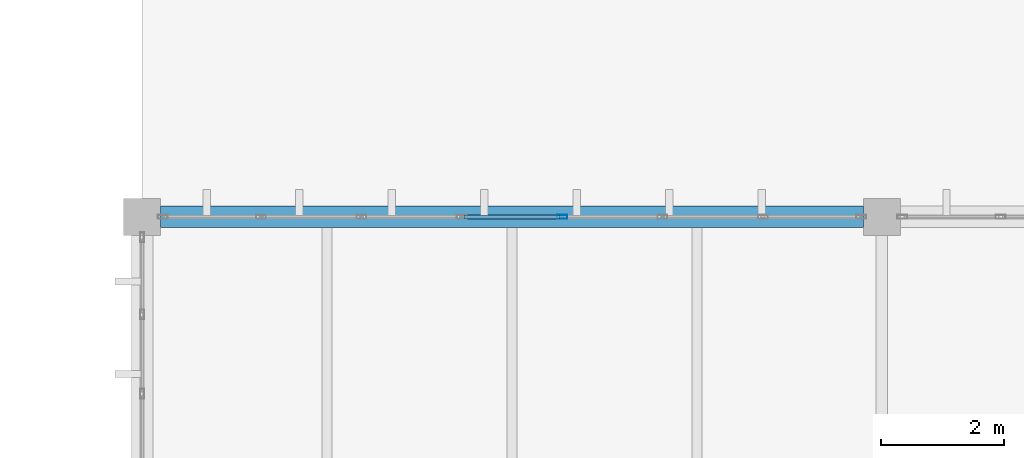
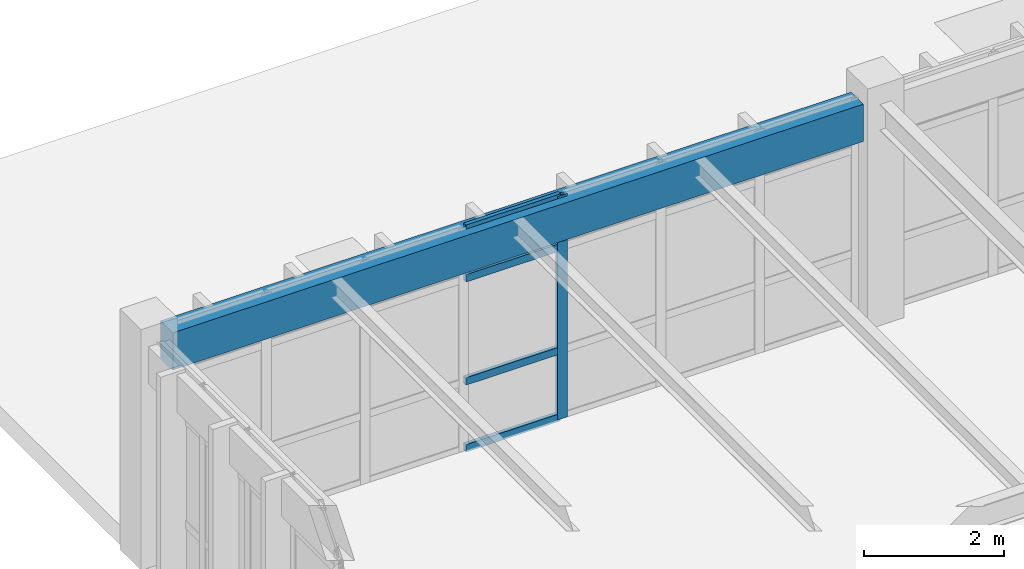
# One storey, part 48 of 83: 5 members, 1 beam, 1 element without a shape of its own.
"""IFC4 building model written with IfcOpenShell, lengths in metres."""

from ifc_helpers import new_model, si_unit, direction, frame, origin, origin_2d, place, context, subcontext, project, spatial, rectangle, hollow_rectangle, extrude, material, layer, layer_set, material_profile, profile_set, type_object, element, aggregate, save


model = new_model("IFC4")

# Units and contexts
model_context = context("Model", 3, precision=1e-05, world=origin(), true_north=direction((0.0, 1.0)))
body_context = subcontext(model_context, "Body", "Model", "MODEL_VIEW")
ifc_project = project(units=[si_unit("LENGTHUNIT", "METRE"), si_unit("AREAUNIT", "SQUARE_METRE"), si_unit("VOLUMEUNIT", "CUBIC_METRE"), si_unit("PLANEANGLEUNIT", "RADIAN"), si_unit("MASSUNIT", "GRAM", prefix="KILO")], contexts=[model_context])

# Site, building, storey
site_placement = place(None, origin())
site = spatial("IfcSite", under=ifc_project, at=site_placement, CompositionType="ELEMENT")
building_placement = place(site_placement, origin())
building = spatial("IfcBuilding", under=site, at=building_placement, Name="Pandanus Reach Market Hall", CompositionType="ELEMENT")
storey_placement = place(building_placement, frame((0.0, 0.0, 10.199951171875)))
storey = spatial("IfcBuildingStorey", under=building, at=storey_placement, Name="L02", CompositionType="ELEMENT", Elevation=10.199951171875)

# Beam
ifc_material_1 = material(Name="Concrete N40 (40 MPa)", Category="concrete")
ifc_material_profile_1 = material_profile(ifc_material_1, rectangle(XDim=0.35009765625, YDim=0.64990234375, at=origin_2d()), Name="RC350x650", Category="LoadBearing")
ifc_profile_set_1 = profile_set([ifc_material_profile_1], Name="Concrete N40 (40 MPa)")
beam_type = type_object("IfcBeamType", Name="BM-RC350-E", PredefinedType="SPANDREL", material=ifc_profile_set_1)
beam_placement = place(storey_placement, frame((144.298095703125, 86.39990234375, 3.53515625), z_axis=(1.0, 0.0, 0.0), x_axis=(0.0, 1.0, 0.0)))
element("IfcBeam", 1, at=beam_placement, inside=storey, type_object=beam_type, Name="Framing beam BM-RC350-E L02.458", PredefinedType="SPANDREL", context=body_context, shape_type="SweptSolid", body=[
    extrude(rectangle(XDim=0.35009765625, YDim=0.64990234375, at=origin_2d()), origin(), (0.0, 0.0, 1.0), 11.40380859375),
])

# Curtain wall, members
ifc_material_2 = material(Name="Bronze anodised aluminium and low-E glass", Category="aluminium")
ifc_layer = layer(ifc_material_2, 0.159912109375, Name="CW-31")
ifc_layer_set = layer_set([ifc_layer], Name="Bronze anodised aluminium and low-E glass")
curtain_wall_type = type_object("IfcCurtainWallType", Name="CW-31", PredefinedType="NOTDEFINED", material=ifc_layer_set)
curtain_wall_placement = place(storey_placement, origin())
curtain_wall = element("IfcCurtainWall", 2, at=curtain_wall_placement, inside=storey, type_object=curtain_wall_type, Name="Glazed curtain wall CW-31 CW-0102", PredefinedType="NOTDEFINED")
ifc_material_3 = material(Name="Bronze anodised aluminium", Category="aluminium")
ifc_material_profile_2 = material_profile(ifc_material_3, hollow_rectangle(XDim=0.06494140625, YDim=0.159912109375, WallThickness=0.00390625, at=origin_2d()), Name="ALU65x160", Category="LoadBearing")
ifc_profile_set_2 = profile_set([ifc_material_profile_2], Name="Bronze anodised aluminium")
member_type_1 = type_object("IfcMemberType", Name="CW-M1", PredefinedType="MULLION", material=ifc_profile_set_2)
member_1_placement = place(storey_placement, frame((150.814208984375, 86.39990234375, 0.0), z_axis=(0.0, 0.0, 1.0), x_axis=(0.0, 1.0, 0.0)))
member_1 = element("IfcMember", 3, at=member_1_placement, type_object=member_type_1, Name="CW-31 mullion 5", PredefinedType="MULLION", context=body_context, shape_type="SweptSolid", body=[
    extrude(hollow_rectangle(XDim=0.06494140625, YDim=0.159912109375, WallThickness=0.00390625, at=origin_2d()), origin(), (0.0, 0.0, 1.0), 3.900146484375),
])
ifc_material_profile_3 = material_profile(ifc_material_3, hollow_rectangle(XDim=0.06494140625, YDim=0.1298828125, WallThickness=0.00390625, at=origin_2d()), Name="ALU65x130", Category="LoadBearing")
ifc_profile_set_3 = profile_set([ifc_material_profile_3], Name="Bronze anodised aluminium")
member_type_2 = type_object("IfcMemberType", Name="CW-T1", PredefinedType="USERDEFINED", material=ifc_profile_set_3)
member_2_placement = place(storey_placement, frame((149.21826171875, 86.39990234375, 0.032470703125), z_axis=(1.0, 0.0, 0.0), x_axis=(0.0, 1.0, 0.0)))
member_2 = element("IfcMember", 4, at=member_2_placement, type_object=member_type_2, Name="CW-31 transom 4.1", ObjectType="TRANSOM", PredefinedType="USERDEFINED", context=body_context, shape_type="SweptSolid", body=[
    extrude(hollow_rectangle(XDim=0.06494140625, YDim=0.1298828125, WallThickness=0.00390625, at=origin_2d()), origin(), (0.0, 0.0, 1.0), 1.5634765625),
])
member_3_placement = place(storey_placement, frame((149.21826171875, 86.39990234375, 1.199951171875), z_axis=(1.0, 0.0, 0.0), x_axis=(0.0, 1.0, 0.0)))
member_3 = element("IfcMember", 5, at=member_3_placement, type_object=member_type_2, Name="CW-31 transom 4.2", ObjectType="TRANSOM", PredefinedType="USERDEFINED", context=body_context, shape_type="SweptSolid", body=[
    extrude(hollow_rectangle(XDim=0.06494140625, YDim=0.1298828125, WallThickness=0.00390625, at=origin_2d()), origin(), (0.0, 0.0, 1.0), 1.5634765625),
])
member_4_placement = place(storey_placement, frame((149.21826171875, 86.39990234375, 3.0), z_axis=(1.0, 0.0, 0.0), x_axis=(0.0, 1.0, 0.0)))
member_4 = element("IfcMember", 6, at=member_4_placement, type_object=member_type_2, Name="CW-31 transom 4.3", ObjectType="TRANSOM", PredefinedType="USERDEFINED", context=body_context, shape_type="SweptSolid", body=[
    extrude(hollow_rectangle(XDim=0.06494140625, YDim=0.1298828125, WallThickness=0.00390625, at=origin_2d()), origin(), (0.0, 0.0, 1.0), 1.5634765625),
])
member_5_placement = place(storey_placement, frame((149.21826171875, 86.39990234375, 3.867431640625), z_axis=(1.0, 0.0, 0.0), x_axis=(0.0, 1.0, 0.0)))
member_5 = element("IfcMember", 7, at=member_5_placement, type_object=member_type_2, Name="CW-31 transom 4.4", ObjectType="TRANSOM", PredefinedType="USERDEFINED", context=body_context, shape_type="SweptSolid", body=[
    extrude(hollow_rectangle(XDim=0.06494140625, YDim=0.1298828125, WallThickness=0.00390625, at=origin_2d()), origin(), (0.0, 0.0, 1.0), 1.5634765625),
])
aggregate(curtain_wall, [member_1, member_2, member_3, member_4, member_5])

save(model, "model.ifc")
